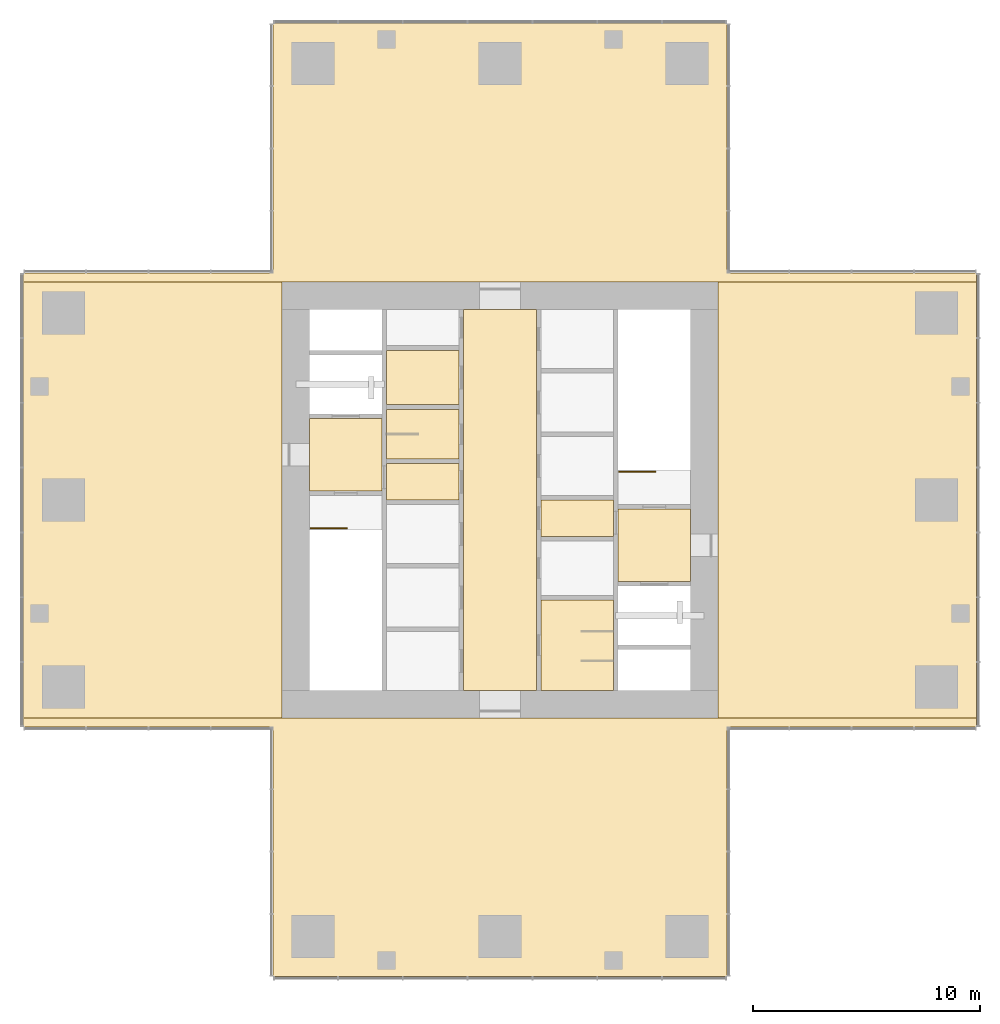
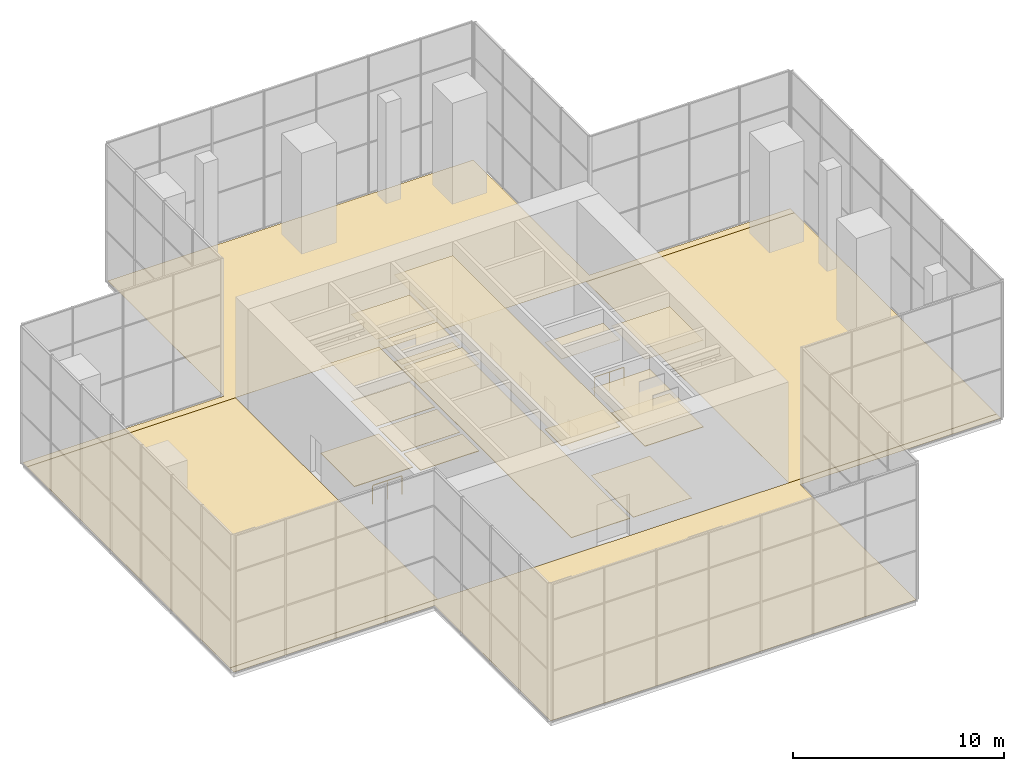
# One storey, part 12 of 12: 20 coverings, 2 railings.
"""IFC4 building model written with IfcOpenShell, lengths in metres."""

from ifc_helpers import new_model, si_unit, direction, frame, origin, origin_2d, place, context, subcontext, project, spatial, polyline, circle, outline, extrude, material, layer, layer_set, type_object, element, save


model = new_model("IFC4")

# Units and contexts
model_context = context("Model", 3, precision=1e-05, world=origin(), true_north=direction((0.0, 1.0)))
body_context = subcontext(model_context, "Body", "Model", "MODEL_VIEW")
ifc_project = project(units=[si_unit("LENGTHUNIT", "METRE"), si_unit("AREAUNIT", "SQUARE_METRE"), si_unit("VOLUMEUNIT", "CUBIC_METRE"), si_unit("PLANEANGLEUNIT", "RADIAN"), si_unit("MASSUNIT", "GRAM", prefix="KILO")], contexts=[model_context])

# Site, building, storey
site_placement = place(None, origin())
site = spatial("IfcSite", under=ifc_project, at=site_placement, CompositionType="ELEMENT")
building_placement = place(site_placement, origin())
building = spatial("IfcBuilding", under=site, at=building_placement, Name="Svetlomir Tower", CompositionType="ELEMENT")
storey_placement = place(building_placement, frame((0.0, 0.0, 283.89990234375)))
storey = spatial("IfcBuildingStorey", under=building, at=storey_placement, Name="L67", CompositionType="ELEMENT", Elevation=283.89990234375)

# Coverings
ifc_material_1 = material(Name="Ceramic floor tile", Category="ceramic")
ifc_layer_1 = layer(ifc_material_1, 0.014892578125)
ifc_layer_set_1 = layer_set([ifc_layer_1], Name="Ceramic floor tile")
covering_type_1 = type_object("IfcCoveringType", Name="CERAMIC TILE FLOOR 15", PredefinedType="FLOORING", material=ifc_layer_set_1)
covering_1_placement = place(storey_placement, origin())
element("IfcCovering", 1, at=covering_1_placement, inside=storey, type_object=covering_type_1, Name="Floor finish L67-04", PredefinedType="FLOORING", context=body_context, shape_type="SweptSolid", body=[
    extrude(outline(polyline([(16.0, 22.800048828125), (19.199951171875, 22.800048828125), (19.199951171875, 25.0), (16.0, 25.0), (16.0, 22.800048828125)])), origin(), (0.0, 0.0, 1.0), 0.01513671875),
])
covering_2_placement = place(storey_placement, origin())
element("IfcCovering", 2, at=covering_2_placement, inside=storey, type_object=covering_type_1, Name="Floor finish L67-05", PredefinedType="FLOORING", context=body_context, shape_type="SweptSolid", body=[
    extrude(outline(polyline([(16.0, 25.199951171875), (19.199951171875, 25.199951171875), (19.199951171875, 27.60009765625), (16.0, 27.60009765625), (16.0, 25.199951171875)])), origin(), (0.0, 0.0, 1.0), 0.01513671875),
])
covering_3_placement = place(storey_placement, origin())
element("IfcCovering", 3, at=covering_3_placement, inside=storey, type_object=covering_type_1, Name="Floor finish L67-08", PredefinedType="FLOORING", context=body_context, shape_type="SweptSolid", body=[
    extrude(outline(polyline([(22.800048828125, 12.60009765625), (26.0, 12.60009765625), (26.0, 16.60009765625), (22.800048828125, 16.60009765625), (22.800048828125, 12.60009765625)])), origin(), (0.0, 0.0, 1.0), 0.01513671875),
])
ifc_material_2 = material(Name="Epoxy resin floor coating", Category="resin")
ifc_layer_2 = layer(ifc_material_2, 0.0048828125)
ifc_layer_set_2 = layer_set([ifc_layer_2], Name="Epoxy resin floor coating")
covering_type_2 = type_object("IfcCoveringType", Name="EPOXY FLOOR 5", PredefinedType="FLOORING", material=ifc_layer_set_2)
covering_4_placement = place(storey_placement, origin())
element("IfcCovering", 4, at=covering_4_placement, inside=storey, type_object=covering_type_2, Name="Floor finish L67-19", PredefinedType="FLOORING", context=body_context, shape_type="SweptSolid", body=[
    extrude(outline(polyline([(31.0, 11.0), (31.0, 0.0), (11.0, 0.0), (11.0, 11.0), (0.0, 11.0), (0.0, 11.39990234375), (42.0, 11.39990234375), (42.0, 11.0), (31.0, 11.0)])), origin(), (0.0, 0.0, 1.0), 0.005126953125),
])
covering_5_placement = place(storey_placement, origin())
element("IfcCovering", 5, at=covering_5_placement, inside=storey, type_object=covering_type_2, Name="Floor finish L67-20", PredefinedType="FLOORING", context=body_context, shape_type="SweptSolid", body=[
    extrude(outline(polyline([(11.0, 31.0), (11.0, 42.0), (31.0, 42.0), (31.0, 31.0), (42.0, 31.0), (42.0, 30.60009765625), (0.0, 30.60009765625), (0.0, 31.0), (11.0, 31.0)])), origin(), (0.0, 0.0, 1.0), 0.005126953125),
])
covering_6_placement = place(storey_placement, origin())
element("IfcCovering", 6, at=covering_6_placement, inside=storey, type_object=covering_type_2, Name="Floor finish L67-21", PredefinedType="FLOORING", context=body_context, shape_type="SweptSolid", body=[
    extrude(outline(polyline([(11.39990234375, 30.60009765625), (11.39990234375, 11.39990234375), (0.0, 11.39990234375), (0.0, 30.60009765625), (11.39990234375, 30.60009765625)])), origin(), (0.0, 0.0, 1.0), 0.005126953125),
])
covering_7_placement = place(storey_placement, origin())
element("IfcCovering", 7, at=covering_7_placement, inside=storey, type_object=covering_type_2, Name="Floor finish L67-22", PredefinedType="FLOORING", context=body_context, shape_type="SweptSolid", body=[
    extrude(outline(polyline([(30.60009765625, 11.39990234375), (30.60009765625, 30.60009765625), (42.0, 30.60009765625), (42.0, 11.39990234375), (30.60009765625, 11.39990234375)])), origin(), (0.0, 0.0, 1.0), 0.005126953125),
])
ifc_material_3 = material(Name="Moisture resistant plasterboard ceiling", Category="gypsum")
ifc_layer_3 = layer(ifc_material_3, 0.012451171875)
ifc_layer_set_3 = layer_set([ifc_layer_3], Name="Moisture resistant plasterboard ceiling")
covering_type_3 = type_object("IfcCoveringType", Name="MOISTURE RESISTANT CEILING 12.5", PredefinedType="CEILING", material=ifc_layer_set_3)
covering_8_placement = place(storey_placement, frame((0.0, 0.0, 5.03759765625)))
element("IfcCovering", 8, at=covering_8_placement, inside=storey, type_object=covering_type_3, Name="Ceiling L67-04", PredefinedType="CEILING", context=body_context, shape_type="SweptSolid", body=[
    extrude(outline(polyline([(16.0, 22.800048828125), (19.199951171875, 22.800048828125), (19.199951171875, 25.0), (16.0, 25.0), (16.0, 22.800048828125)])), origin(), (0.0, 0.0, 1.0), 0.012451171875),
])
covering_9_placement = place(storey_placement, frame((0.0, 0.0, 5.03759765625)))
element("IfcCovering", 9, at=covering_9_placement, inside=storey, type_object=covering_type_3, Name="Ceiling L67-05", PredefinedType="CEILING", context=body_context, shape_type="SweptSolid", body=[
    extrude(outline(polyline([(16.0, 25.199951171875), (19.199951171875, 25.199951171875), (19.199951171875, 27.60009765625), (16.0, 27.60009765625), (16.0, 25.199951171875)])), origin(), (0.0, 0.0, 1.0), 0.012451171875),
])
covering_10_placement = place(storey_placement, frame((0.0, 0.0, 5.03759765625)))
element("IfcCovering", 10, at=covering_10_placement, inside=storey, type_object=covering_type_3, Name="Ceiling L67-08", PredefinedType="CEILING", context=body_context, shape_type="SweptSolid", body=[
    extrude(outline(polyline([(22.800048828125, 12.60009765625), (26.0, 12.60009765625), (26.0, 16.60009765625), (22.800048828125, 16.60009765625), (22.800048828125, 12.60009765625)])), origin(), (0.0, 0.0, 1.0), 0.012451171875),
])
ifc_material_4 = material(Name="Gypsum plasterboard ceiling", Category="gypsum")
ifc_layer_4 = layer(ifc_material_4, 0.014892578125)
ifc_layer_set_4 = layer_set([ifc_layer_4], Name="Gypsum plasterboard ceiling")
covering_type_4 = type_object("IfcCoveringType", Name="PLASTERBOARD CEILING 15", PredefinedType="CEILING", material=ifc_layer_set_4)
covering_11_placement = place(storey_placement, frame((0.0, 0.0, 5.03515625)))
element("IfcCovering", 11, at=covering_11_placement, inside=storey, type_object=covering_type_4, Name="Ceiling L67-02", PredefinedType="CEILING", context=body_context, shape_type="SweptSolid", body=[
    extrude(outline(polyline([(12.60009765625, 21.39990234375), (15.800048828125, 21.39990234375), (15.800048828125, 24.60009765625), (12.60009765625, 24.60009765625), (12.60009765625, 21.39990234375)])), origin(), (0.0, 0.0, 1.0), 0.014892578125),
])
covering_12_placement = place(storey_placement, frame((0.0, 0.0, 5.03515625)))
element("IfcCovering", 12, at=covering_12_placement, inside=storey, type_object=covering_type_4, Name="Ceiling L67-03", PredefinedType="CEILING", context=body_context, shape_type="SweptSolid", body=[
    extrude(outline(polyline([(16.0, 21.0), (19.199951171875, 21.0), (19.199951171875, 22.60009765625), (16.0, 22.60009765625), (16.0, 21.0)])), origin(), (0.0, 0.0, 1.0), 0.014892578125),
])
covering_13_placement = place(storey_placement, frame((0.0, 0.0, 5.03515625)))
element("IfcCovering", 13, at=covering_13_placement, inside=storey, type_object=covering_type_4, Name="Ceiling L67-07", PredefinedType="CEILING", context=body_context, shape_type="SweptSolid", body=[
    extrude(outline(polyline([(19.39990234375, 12.60009765625), (22.60009765625, 12.60009765625), (22.60009765625, 29.39990234375), (19.39990234375, 29.39990234375), (19.39990234375, 12.60009765625)])), origin(), (0.0, 0.0, 1.0), 0.014892578125),
])
covering_14_placement = place(storey_placement, frame((0.0, 0.0, 5.03515625)))
element("IfcCovering", 14, at=covering_14_placement, inside=storey, type_object=covering_type_4, Name="Ceiling L67-10", PredefinedType="CEILING", context=body_context, shape_type="SweptSolid", body=[
    extrude(outline(polyline([(22.800048828125, 19.39990234375), (26.0, 19.39990234375), (26.0, 21.0), (22.800048828125, 21.0), (22.800048828125, 19.39990234375)])), origin(), (0.0, 0.0, 1.0), 0.014892578125),
])
covering_15_placement = place(storey_placement, frame((0.0, 0.0, 5.03515625)))
element("IfcCovering", 15, at=covering_15_placement, inside=storey, type_object=covering_type_4, Name="Ceiling L67-11", PredefinedType="CEILING", context=body_context, shape_type="SweptSolid", body=[
    extrude(outline(polyline([(26.199951171875, 17.39990234375), (29.39990234375, 17.39990234375), (29.39990234375, 20.60009765625), (26.199951171875, 20.60009765625), (26.199951171875, 17.39990234375)])), origin(), (0.0, 0.0, 1.0), 0.014892578125),
])

# Railings
ifc_material_5 = material(Name="Painted steel balustrade", Category="steel")
railing_type = type_object("IfcRailingType", Name="STAIR WELL GUARD GR3 1100", PredefinedType="GUARDRAIL", material=ifc_material_5)
for number, where, name in (
    (16, (12.64990234375, 19.75, 0.0), "Stair S1 well guard L67"),
    (17, (26.25, 22.25, 0.0), "Stair S2 well guard L67"),
):
    element("IfcRailing", number, at=place(storey_placement, frame(where)), inside=storey, type_object=railing_type, Name=name, PredefinedType="GUARDRAIL", context=body_context, shape_type="SweptSolid", body=[
        extrude(circle(Radius=0.02392578125, at=origin_2d()), frame((0.0, 0.0, 1.076171875), z_axis=(1.0, 0.0, 0.0), x_axis=(0.0, 1.0, 0.0)), (0.0, 0.0, 1.0), 1.60009765625),
        extrude(circle(Radius=0.02099609375, at=origin_2d()), origin(), (0.0, 0.0, 1.0), 1.052001953125),
        extrude(circle(Radius=0.02099609375, at=origin_2d()), frame((0.800048828125, 0.0, 0.0)), (0.0, 0.0, 1.0), 1.052001953125),
        extrude(circle(Radius=0.02099609375, at=origin_2d()), frame((1.60009765625, 0.0, 0.0)), (0.0, 0.0, 1.0), 1.052001953125),
    ])

# Coverings
ifc_material_6 = material(Name="Bronze-aggregate terrazzo", Category="stone")
ifc_layer_5 = layer(ifc_material_6, 0.030029296875)
ifc_layer_set_5 = layer_set([ifc_layer_5], Name="Bronze-aggregate terrazzo")
covering_type_5 = type_object("IfcCoveringType", Name="TERRAZZO FLOOR 30", PredefinedType="FLOORING", material=ifc_layer_set_5)
covering_16_placement = place(storey_placement, origin())
element("IfcCovering", 18, at=covering_16_placement, inside=storey, type_object=covering_type_5, Name="Floor finish L67-02", PredefinedType="FLOORING", context=body_context, shape_type="SweptSolid", body=[
    extrude(outline(polyline([(12.60009765625, 21.39990234375), (15.800048828125, 21.39990234375), (15.800048828125, 24.60009765625), (12.60009765625, 24.60009765625), (12.60009765625, 21.39990234375)])), origin(), (0.0, 0.0, 1.0), 0.030029296875),
])
covering_17_placement = place(storey_placement, origin())
element("IfcCovering", 19, at=covering_17_placement, inside=storey, type_object=covering_type_5, Name="Floor finish L67-03", PredefinedType="FLOORING", context=body_context, shape_type="SweptSolid", body=[
    extrude(outline(polyline([(16.0, 21.0), (19.199951171875, 21.0), (19.199951171875, 22.60009765625), (16.0, 22.60009765625), (16.0, 21.0)])), origin(), (0.0, 0.0, 1.0), 0.030029296875),
])
covering_18_placement = place(storey_placement, origin())
element("IfcCovering", 20, at=covering_18_placement, inside=storey, type_object=covering_type_5, Name="Floor finish L67-07", PredefinedType="FLOORING", context=body_context, shape_type="SweptSolid", body=[
    extrude(outline(polyline([(19.39990234375, 12.60009765625), (22.60009765625, 12.60009765625), (22.60009765625, 29.39990234375), (19.39990234375, 29.39990234375), (19.39990234375, 12.60009765625)])), origin(), (0.0, 0.0, 1.0), 0.030029296875),
])
covering_19_placement = place(storey_placement, origin())
element("IfcCovering", 21, at=covering_19_placement, inside=storey, type_object=covering_type_5, Name="Floor finish L67-10", PredefinedType="FLOORING", context=body_context, shape_type="SweptSolid", body=[
    extrude(outline(polyline([(22.800048828125, 19.39990234375), (26.0, 19.39990234375), (26.0, 21.0), (22.800048828125, 21.0), (22.800048828125, 19.39990234375)])), origin(), (0.0, 0.0, 1.0), 0.030029296875),
])
covering_20_placement = place(storey_placement, origin())
element("IfcCovering", 22, at=covering_20_placement, inside=storey, type_object=covering_type_5, Name="Floor finish L67-11", PredefinedType="FLOORING", context=body_context, shape_type="SweptSolid", body=[
    extrude(outline(polyline([(26.199951171875, 17.39990234375), (29.39990234375, 17.39990234375), (29.39990234375, 20.60009765625), (26.199951171875, 20.60009765625), (26.199951171875, 17.39990234375)])), origin(), (0.0, 0.0, 1.0), 0.030029296875),
])

save(model, "model.ifc")
